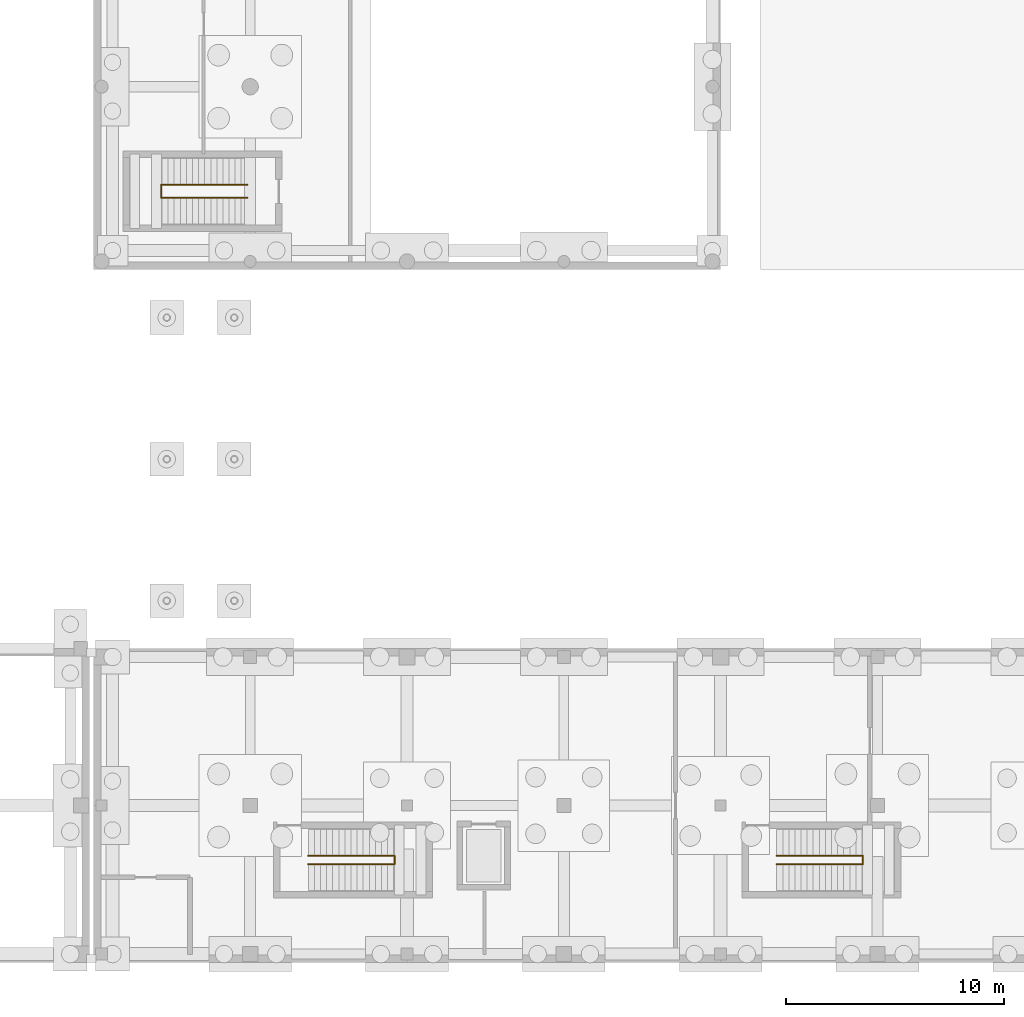
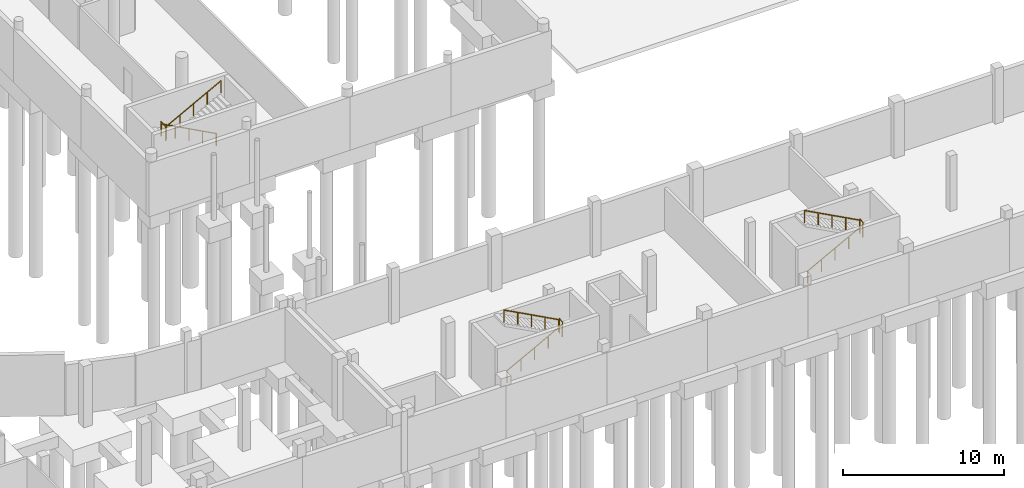
# One storey, part 36 of 41: 9 railings.
"""IFC4 building model written with IfcOpenShell, lengths in metres."""

from ifc_helpers import new_model, si_unit, direction, frame, origin, origin_2d, place, context, subcontext, project, spatial, circle, extrude, material, type_object, element, save


model = new_model("IFC4")

# Units and contexts
model_context = context("Model", 3, precision=1e-05, world=origin(), true_north=direction((0.0, 1.0)))
body_context = subcontext(model_context, "Body", "Model", "MODEL_VIEW")
ifc_project = project(units=[si_unit("LENGTHUNIT", "METRE"), si_unit("AREAUNIT", "SQUARE_METRE"), si_unit("VOLUMEUNIT", "CUBIC_METRE"), si_unit("PLANEANGLEUNIT", "RADIAN"), si_unit("MASSUNIT", "GRAM", prefix="KILO")], contexts=[model_context])

# Site, building, storey
site_placement = place(None, origin())
site = spatial("IfcSite", under=ifc_project, at=site_placement, CompositionType="ELEMENT")
building_placement = place(site_placement, origin())
building = spatial("IfcBuilding", under=site, at=building_placement, Name="Vardoun Plaza Health Centre", CompositionType="ELEMENT")
storey_placement = place(building_placement, frame((0.0, 0.0, -4.5)))
storey = spatial("IfcBuildingStorey", under=building, at=storey_placement, Name="B1", CompositionType="ELEMENT", Elevation=-4.5)

# Railings
ifc_material_1 = material(Name="Painted Steel S275JR Stair-Well Guardrail", Category="steel")
railing_type_1 = type_object("IfcRailingType", Name="GR-04", PredefinedType="GUARDRAIL", material=ifc_material_1)
railing_1_placement = place(storey_placement, frame((50.989990234375, 39.60498046875, 2.25)))
element("IfcRailing", 1, at=railing_1_placement, inside=storey, type_object=railing_type_1, Name="Stair ST-C5-B1 Mid-Landing Well Guard", PredefinedType="GUARDRAIL", context=body_context, shape_type="SweptSolid", body=[
    extrude(circle(Radius=0.02392578125, at=origin_2d()), frame((0.0, 0.0, 1.09619140625), z_axis=(0.0, 1.0, 0.0), x_axis=(-1.0, 0.0, 0.0)), (0.0, 0.0, 1.0), 0.590087890625),
    extrude(circle(Radius=0.02099609375, at=origin_2d()), origin(), (0.0, 0.0, 1.0), 1.072021484375),
    extrude(circle(Radius=0.02099609375, at=origin_2d()), frame((0.0, 0.590087890625, 0.0)), (0.0, 0.0, 1.0), 1.072021484375),
])
for number, where, name in (
    (2, (61.7099609375, 9.0048828125, 2.25), "Stair ST-C6-B1 Mid-Landing Well Guard"),
    (3, (83.2099609375, 9.0048828125, 2.25), "Stair ST-C7-B1 Mid-Landing Well Guard"),
):
    element("IfcRailing", number, at=place(storey_placement, frame(where)), inside=storey, type_object=railing_type_1, Name=name, PredefinedType="GUARDRAIL", context=body_context, shape_type="SweptSolid", body=[
        extrude(circle(Radius=0.02392578125, at=origin_2d()), frame((0.0, 0.0, 1.09619140625), z_axis=(0.0, 1.0, 0.0), x_axis=(-1.0, 0.0, 0.0)), (0.0, 0.0, 1.0), 0.39013671875),
        extrude(circle(Radius=0.02099609375, at=origin_2d()), origin(), (0.0, 0.0, 1.0), 1.072021484375),
        extrude(circle(Radius=0.02099609375, at=origin_2d()), frame((0.0, 0.39013671875, 0.0)), (0.0, 0.0, 1.0), 1.072021484375),
    ])
ifc_material_2 = material(Name="Brushed Stainless Steel Grade 316L", Category="steel")
railing_type_2 = type_object("IfcRailingType", Name="HR-01", PredefinedType="HANDRAIL", material=ifc_material_2)
railing_2_placement = place(storey_placement, frame((54.949951171875, 40.195068359375, 0.14990234375)))
element("IfcRailing", 4, at=railing_2_placement, inside=storey, type_object=railing_type_2, Name="Stair ST-C5-B1 Flight 1 Handrail", PredefinedType="HANDRAIL", context=body_context, shape_type="SweptSolid", body=[
    extrude(circle(Radius=0.02392578125, at=origin_2d()), frame((0.0, 0.0, 0.89599609375), z_axis=(-0.881466911329, 0.0, 0.472245787945), x_axis=(0.0, -1.0, 0.0)), (0.0, 0.0, 1.0), 4.447021484375),
    extrude(circle(Radius=0.02099609375, at=origin_2d()), origin(), (0.0, 0.0, 1.0), 0.871826171875),
    extrude(circle(Radius=0.02099609375, at=origin_2d()), frame((-0.97998046875, 0.0, 0.52490234375)), (0.0, 0.0, 1.0), 0.871826171875),
    extrude(circle(Radius=0.02099609375, at=origin_2d()), frame((-1.9599609375, 0.0, 1.050048828125)), (0.0, 0.0, 1.0), 0.871826171875),
    extrude(circle(Radius=0.02099609375, at=origin_2d()), frame((-2.93994140625, 0.0, 1.5751953125)), (0.0, 0.0, 1.0), 0.871826171875),
    extrude(circle(Radius=0.02099609375, at=origin_2d()), frame((-3.919921875, 0.0, 2.10009765625)), (0.0, 0.0, 1.0), 0.871826171875),
])
for number, where, name in (
    (5, (51.030029296875, 39.60498046875, 2.39990234375), "Stair ST-C5-B1 Flight 2 Handrail"),
    (6, (57.75, 9.0048828125, 0.14990234375), "Stair ST-C6-B1 Flight 1 Handrail"),
):
    element("IfcRailing", number, at=place(storey_placement, frame(where)), inside=storey, type_object=railing_type_2, Name=name, PredefinedType="HANDRAIL", context=body_context, shape_type="SweptSolid", body=[
        extrude(circle(Radius=0.02392578125, at=origin_2d()), frame((0.0, 0.0, 0.89599609375), z_axis=(0.881466911329, 0.0, 0.472245787945), x_axis=(0.0, 1.0, 0.0)), (0.0, 0.0, 1.0), 4.447021484375),
        extrude(circle(Radius=0.02099609375, at=origin_2d()), origin(), (0.0, 0.0, 1.0), 0.871826171875),
        extrude(circle(Radius=0.02099609375, at=origin_2d()), frame((0.97998046875, 0.0, 0.52490234375)), (0.0, 0.0, 1.0), 0.871826171875),
        extrude(circle(Radius=0.02099609375, at=origin_2d()), frame((1.9599609375, 0.0, 1.050048828125)), (0.0, 0.0, 1.0), 0.871826171875),
        extrude(circle(Radius=0.02099609375, at=origin_2d()), frame((2.93994140625, 0.0, 1.5751953125)), (0.0, 0.0, 1.0), 0.871826171875),
        extrude(circle(Radius=0.02099609375, at=origin_2d()), frame((3.919921875, 0.0, 2.10009765625)), (0.0, 0.0, 1.0), 0.871826171875),
    ])
railing_3_placement = place(storey_placement, frame((61.669921875, 9.39501953125, 2.39990234375)))
element("IfcRailing", 7, at=railing_3_placement, inside=storey, type_object=railing_type_2, Name="Stair ST-C6-B1 Flight 2 Handrail", PredefinedType="HANDRAIL", context=body_context, shape_type="SweptSolid", body=[
    extrude(circle(Radius=0.02392578125, at=origin_2d()), frame((0.0, 0.0, 0.89599609375), z_axis=(-0.881466911329, 0.0, 0.472245787945), x_axis=(0.0, -1.0, 0.0)), (0.0, 0.0, 1.0), 4.447021484375),
    extrude(circle(Radius=0.02099609375, at=origin_2d()), origin(), (0.0, 0.0, 1.0), 0.871826171875),
    extrude(circle(Radius=0.02099609375, at=origin_2d()), frame((-0.97998046875, 0.0, 0.52490234375)), (0.0, 0.0, 1.0), 0.871826171875),
    extrude(circle(Radius=0.02099609375, at=origin_2d()), frame((-1.9599609375, 0.0, 1.050048828125)), (0.0, 0.0, 1.0), 0.871826171875),
    extrude(circle(Radius=0.02099609375, at=origin_2d()), frame((-2.93994140625, 0.0, 1.5751953125)), (0.0, 0.0, 1.0), 0.871826171875),
    extrude(circle(Radius=0.02099609375, at=origin_2d()), frame((-3.919921875, 0.0, 2.10009765625)), (0.0, 0.0, 1.0), 0.871826171875),
])
railing_4_placement = place(storey_placement, frame((79.25, 9.0048828125, 0.14990234375)))
element("IfcRailing", 8, at=railing_4_placement, inside=storey, type_object=railing_type_2, Name="Stair ST-C7-B1 Flight 1 Handrail", PredefinedType="HANDRAIL", context=body_context, shape_type="SweptSolid", body=[
    extrude(circle(Radius=0.02392578125, at=origin_2d()), frame((0.0, 0.0, 0.89599609375), z_axis=(0.881466911329, 0.0, 0.472245787945), x_axis=(0.0, 1.0, 0.0)), (0.0, 0.0, 1.0), 4.447021484375),
    extrude(circle(Radius=0.02099609375, at=origin_2d()), origin(), (0.0, 0.0, 1.0), 0.871826171875),
    extrude(circle(Radius=0.02099609375, at=origin_2d()), frame((0.97998046875, 0.0, 0.52490234375)), (0.0, 0.0, 1.0), 0.871826171875),
    extrude(circle(Radius=0.02099609375, at=origin_2d()), frame((1.9599609375, 0.0, 1.050048828125)), (0.0, 0.0, 1.0), 0.871826171875),
    extrude(circle(Radius=0.02099609375, at=origin_2d()), frame((2.93994140625, 0.0, 1.5751953125)), (0.0, 0.0, 1.0), 0.871826171875),
    extrude(circle(Radius=0.02099609375, at=origin_2d()), frame((3.919921875, 0.0, 2.10009765625)), (0.0, 0.0, 1.0), 0.871826171875),
])
railing_5_placement = place(storey_placement, frame((83.169921875, 9.39501953125, 2.39990234375)))
element("IfcRailing", 9, at=railing_5_placement, inside=storey, type_object=railing_type_2, Name="Stair ST-C7-B1 Flight 2 Handrail", PredefinedType="HANDRAIL", context=body_context, shape_type="SweptSolid", body=[
    extrude(circle(Radius=0.02392578125, at=origin_2d()), frame((0.0, 0.0, 0.89599609375), z_axis=(-0.881466911329, 0.0, 0.472245787945), x_axis=(0.0, -1.0, 0.0)), (0.0, 0.0, 1.0), 4.447021484375),
    extrude(circle(Radius=0.02099609375, at=origin_2d()), origin(), (0.0, 0.0, 1.0), 0.871826171875),
    extrude(circle(Radius=0.02099609375, at=origin_2d()), frame((-0.97998046875, 0.0, 0.52490234375)), (0.0, 0.0, 1.0), 0.871826171875),
    extrude(circle(Radius=0.02099609375, at=origin_2d()), frame((-1.9599609375, 0.0, 1.050048828125)), (0.0, 0.0, 1.0), 0.871826171875),
    extrude(circle(Radius=0.02099609375, at=origin_2d()), frame((-2.93994140625, 0.0, 1.5751953125)), (0.0, 0.0, 1.0), 0.871826171875),
    extrude(circle(Radius=0.02099609375, at=origin_2d()), frame((-3.919921875, 0.0, 2.10009765625)), (0.0, 0.0, 1.0), 0.871826171875),
])

save(model, "model.ifc")
